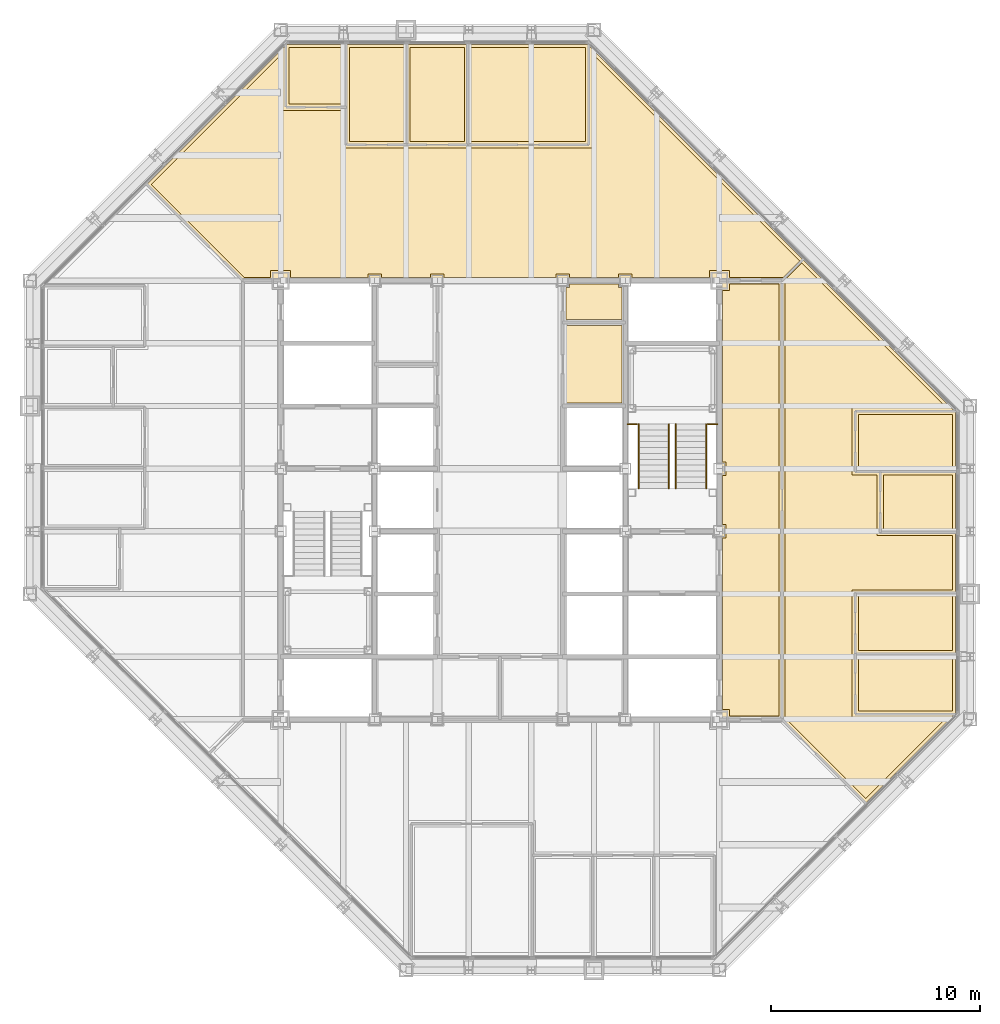
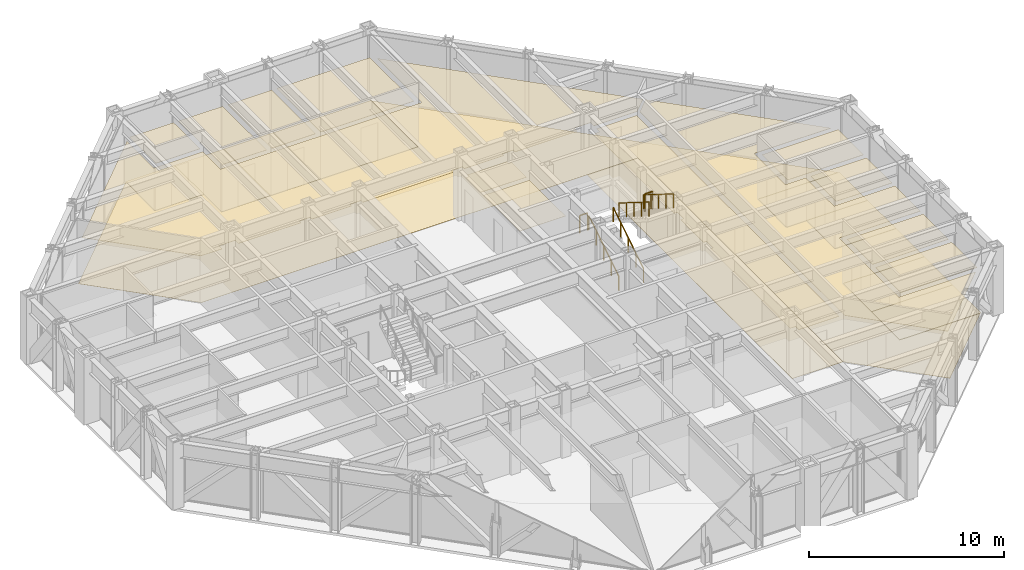
# One storey, part 16 of 16: 23 coverings, 6 railings.
"""IFC4 building model written with IfcOpenShell, lengths in metres."""

from ifc_helpers import new_model, si_unit, direction, frame, origin, origin_2d, place, context, subcontext, project, spatial, polyline, circle, outline, extrude, material, layer, layer_set, type_object, element, save


model = new_model("IFC4")

# Units and contexts
model_context = context("Model", 3, precision=1e-05, world=origin(), true_north=direction((0.0, 1.0)))
body_context = subcontext(model_context, "Body", "Model", "MODEL_VIEW")
ifc_project = project(units=[si_unit("LENGTHUNIT", "METRE"), si_unit("AREAUNIT", "SQUARE_METRE"), si_unit("VOLUMEUNIT", "CUBIC_METRE"), si_unit("PLANEANGLEUNIT", "RADIAN"), si_unit("MASSUNIT", "GRAM", prefix="KILO")], contexts=[model_context])

# Site, building, storey
site_placement = place(None, origin())
site = spatial("IfcSite", under=ifc_project, at=site_placement, CompositionType="ELEMENT")
building_placement = place(site_placement, origin())
building = spatial("IfcBuilding", under=site, at=building_placement, Name="Chuquiago Exchange Tower", CompositionType="ELEMENT")
storey_placement = place(building_placement, frame((0.0, 0.0, 222.300048828125)))
storey = spatial("IfcBuildingStorey", under=building, at=storey_placement, Name="L49", CompositionType="ELEMENT", Elevation=222.300048828125)

# Coverings
ifc_material_1 = material(Name="Mineral fibre tile, 600 x 600, on pale metal grid", Category="mineral fibre")
ifc_layer_1 = layer(ifc_material_1, 0.02001953125)
ifc_layer_set_1 = layer_set([ifc_layer_1], Name="CL1 suspended tile ceiling 20")
covering_type_1 = type_object("IfcCoveringType", Name="CL1 suspended tile ceiling 20", PredefinedType="CEILING", material=ifc_layer_set_1)
covering_1_placement = place(storey_placement, frame((0.0, 0.0, 2.800048828125)))
element("IfcCovering", 1, at=covering_1_placement, inside=storey, type_object=covering_type_1, Name="Ceiling Compliance office", PredefinedType="CEILING", context=body_context, shape_type="SweptSolid", body=[
    extrude(outline(polyline([(39.64990234375, 12.3984375), (39.64990234375, 14.9990234375), (44.14990234375, 14.9990234375), (44.14990234375, 12.3984375), (39.64990234375, 12.3984375)])), origin(), (0.0, 0.0, 1.0), 0.02001953125),
])
covering_2_placement = place(storey_placement, frame((0.0, 0.0, 2.800048828125)))
element("IfcCovering", 2, at=covering_2_placement, inside=storey, type_object=covering_type_1, Name="Ceiling Compliance office", PredefinedType="CEILING", context=body_context, shape_type="SweptSolid", body=[
    extrude(outline(polyline([(39.64990234375, 15.299072265625), (39.64990234375, 17.899658203125), (44.14990234375, 17.899658203125), (44.14990234375, 15.299072265625), (39.64990234375, 15.299072265625)])), origin(), (0.0, 0.0, 1.0), 0.02001953125),
])
covering_3_placement = place(storey_placement, frame((0.0, 0.0, 2.800048828125)))
element("IfcCovering", 3, at=covering_3_placement, inside=storey, type_object=covering_type_1, Name="Ceiling Pantry", PredefinedType="CEILING", context=body_context, shape_type="SweptSolid", body=[
    extrude(outline(polyline([(40.85009765625, 21.100341796875), (40.85009765625, 23.700927734375), (44.14990234375, 23.700927734375), (44.14990234375, 21.100341796875), (40.85009765625, 21.100341796875)])), origin(), (0.0, 0.0, 1.0), 0.02001953125),
])
covering_4_placement = place(storey_placement, frame((0.0, 0.0, 2.800048828125)))
element("IfcCovering", 4, at=covering_4_placement, inside=storey, type_object=covering_type_1, Name="Ceiling Meeting room", PredefinedType="CEILING", context=body_context, shape_type="SweptSolid", body=[
    extrude(outline(polyline([(44.14990234375, 24.0009765625), (39.64990234375, 24.0009765625), (39.64990234375, 26.6015625), (44.14990234375, 26.6015625), (44.14990234375, 24.0009765625)])), origin(), (0.0, 0.0, 1.0), 0.02001953125),
])
covering_5_placement = place(storey_placement, frame((0.0, 0.0, 2.800048828125)))
element("IfcCovering", 5, at=covering_5_placement, inside=storey, type_object=covering_type_1, Name="Ceiling Focus room", PredefinedType="CEILING", context=body_context, shape_type="SweptSolid", body=[
    extrude(outline(polyline([(14.9990234375, 44.14990234375), (14.9990234375, 41.449951171875), (12.3984375, 41.449951171875), (12.3984375, 44.14990234375), (14.9990234375, 44.14990234375)])), origin(), (0.0, 0.0, 1.0), 0.02001953125),
])
covering_6_placement = place(storey_placement, frame((0.0, 0.0, 2.800048828125)))
element("IfcCovering", 6, at=covering_6_placement, inside=storey, type_object=covering_type_1, Name="Ceiling Compliance office", PredefinedType="CEILING", context=body_context, shape_type="SweptSolid", body=[
    extrude(outline(polyline([(17.899658203125, 39.64990234375), (15.299072265625, 39.64990234375), (15.299072265625, 44.14990234375), (17.899658203125, 44.14990234375), (17.899658203125, 39.64990234375)])), origin(), (0.0, 0.0, 1.0), 0.02001953125),
])
covering_7_placement = place(storey_placement, frame((0.0, 0.0, 2.800048828125)))
element("IfcCovering", 7, at=covering_7_placement, inside=storey, type_object=covering_type_1, Name="Ceiling Compliance office", PredefinedType="CEILING", context=body_context, shape_type="SweptSolid", body=[
    extrude(outline(polyline([(20.80029296875, 39.64990234375), (18.19970703125, 39.64990234375), (18.19970703125, 44.14990234375), (20.80029296875, 44.14990234375), (20.80029296875, 39.64990234375)])), origin(), (0.0, 0.0, 1.0), 0.02001953125),
])
covering_8_placement = place(storey_placement, frame((0.0, 0.0, 2.800048828125)))
element("IfcCovering", 8, at=covering_8_placement, inside=storey, type_object=covering_type_1, Name="Ceiling Meeting room", PredefinedType="CEILING", context=body_context, shape_type="SweptSolid", body=[
    extrude(outline(polyline([(26.6015625, 39.64990234375), (21.100341796875, 39.64990234375), (21.100341796875, 44.14990234375), (26.6015625, 44.14990234375), (26.6015625, 39.64990234375)])), origin(), (0.0, 0.0, 1.0), 0.02001953125),
])
covering_9_placement = place(storey_placement, frame((0.0, 0.0, 2.800048828125)))
element("IfcCovering", 9, at=covering_9_placement, inside=storey, type_object=covering_type_1, Name="Ceiling Circulation corridor", PredefinedType="CEILING", context=body_context, shape_type="SweptSolid", body=[
    extrude(outline(polyline([(35.85009765625, 32.85009765625), (35.85009765625, 12.14990234375), (33.47509765625, 12.14990234375), (33.47509765625, 12.47509765625), (33.14990234375, 12.47509765625), (33.14990234375, 20.675048828125), (33.324951171875, 20.675048828125), (33.324951171875, 21.324951171875), (33.14990234375, 21.324951171875), (33.14990234375, 23.675048828125), (33.324951171875, 23.675048828125), (33.324951171875, 24.324951171875), (33.14990234375, 24.324951171875), (33.14990234375, 32.52490234375), (33.47509765625, 32.52490234375), (33.47509765625, 32.85009765625), (35.85009765625, 32.85009765625)])), origin(), (0.0, 0.0, 1.0), 0.02001953125),
])
covering_10_placement = place(storey_placement, frame((0.0, 0.0, 2.800048828125)))
element("IfcCovering", 10, at=covering_10_placement, inside=storey, type_object=covering_type_1, Name="Ceiling Open office north", PredefinedType="CEILING", context=body_context, shape_type="SweptSolid", body=[
    extrude(outline(polyline([(14.9990234375, 41.14990234375), (14.9990234375, 39.35009765625), (26.901611328125, 39.35009765625), (26.901611328125, 43.896484375), (36.849609375, 33.948486328125), (36.051025390625, 33.14990234375), (33.47509765625, 33.14990234375), (33.47509765625, 33.47509765625), (32.52490234375, 33.47509765625), (32.52490234375, 33.14990234375), (28.824951171875, 33.14990234375), (28.824951171875, 33.324951171875), (28.175048828125, 33.324951171875), (28.175048828125, 33.14990234375), (25.824951171875, 33.14990234375), (25.824951171875, 33.324951171875), (25.175048828125, 33.324951171875), (25.175048828125, 33.14990234375), (19.824951171875, 33.14990234375), (19.824951171875, 33.324951171875), (19.175048828125, 33.324951171875), (19.175048828125, 33.14990234375), (16.824951171875, 33.14990234375), (16.824951171875, 33.324951171875), (16.175048828125, 33.324951171875), (16.175048828125, 33.14990234375), (12.47509765625, 33.14990234375), (12.47509765625, 33.47509765625), (11.52490234375, 33.47509765625), (11.52490234375, 33.14990234375), (10.2626953125, 33.14990234375), (5.807373046875, 37.60546875), (12.098388671875, 43.896484375), (12.098388671875, 41.14990234375), (14.9990234375, 41.14990234375)])), origin(), (0.0, 0.0, 1.0), 0.02001953125),
])
covering_11_placement = place(storey_placement, frame((0.0, 0.0, 2.800048828125)))
element("IfcCovering", 11, at=covering_11_placement, inside=storey, type_object=covering_type_1, Name="Ceiling Open office north", PredefinedType="CEILING", context=body_context, shape_type="SweptSolid", body=[
    extrude(outline(polyline([(43.896484375, 26.901611328125), (39.35009765625, 26.901611328125), (39.35009765625, 23.700927734375), (40.550048828125, 23.700927734375), (40.550048828125, 20.80029296875), (44.14990234375, 20.80029296875), (44.14990234375, 18.19970703125), (39.35009765625, 18.19970703125), (39.35009765625, 12.098388671875), (43.896484375, 12.098388671875), (40.00537109375, 8.20751953125), (36.14990234375, 12.0625), (36.14990234375, 33.051025390625), (36.948486328125, 33.849609375), (43.896484375, 26.901611328125)])), origin(), (0.0, 0.0, 1.0), 0.02001953125),
])
ifc_material_2 = material(Name="Moisture resistant plasterboard on metal frame", Category="gypsum")
ifc_layer_2 = layer(ifc_material_2, 0.014892578125)
ifc_layer_set_2 = layer_set([ifc_layer_2], Name="CL2 moisture resistant ceiling 15")
covering_type_2 = type_object("IfcCoveringType", Name="CL2 moisture resistant ceiling 15", PredefinedType="CEILING", material=ifc_layer_set_2)
covering_12_placement = place(storey_placement, frame((0.0, 0.0, 2.599853515625)))
element("IfcCovering", 12, at=covering_12_placement, inside=storey, type_object=covering_type_2, Name="Ceiling Female WC", PredefinedType="CEILING", context=body_context, shape_type="SweptSolid", body=[
    extrude(outline(polyline([(25.64990234375, 27.14990234375), (25.64990234375, 30.85009765625), (28.35009765625, 30.85009765625), (28.35009765625, 27.14990234375), (25.64990234375, 27.14990234375)])), origin(), (0.0, 0.0, 1.0), 0.01513671875),
])
covering_13_placement = place(storey_placement, frame((0.0, 0.0, 2.599853515625)))
element("IfcCovering", 13, at=covering_13_placement, inside=storey, type_object=covering_type_2, Name="Ceiling Staff shower room", PredefinedType="CEILING", context=body_context, shape_type="SweptSolid", body=[
    extrude(outline(polyline([(25.64990234375, 31.14990234375), (25.64990234375, 32.675048828125), (25.824951171875, 32.675048828125), (25.824951171875, 32.85009765625), (28.175048828125, 32.85009765625), (28.175048828125, 32.675048828125), (28.35009765625, 32.675048828125), (28.35009765625, 31.14990234375), (25.64990234375, 31.14990234375)])), origin(), (0.0, 0.0, 1.0), 0.01513671875),
])
ifc_material_3 = material(Name="Carpet tile, 500 x 500, on the floor slab", Category="textile")
ifc_layer_3 = layer(ifc_material_3, 0.010009765625)
ifc_layer_set_3 = layer_set([ifc_layer_3], Name="FL1 carpet tile 10")
covering_type_3 = type_object("IfcCoveringType", Name="FL1 carpet tile 10", PredefinedType="FLOORING", material=ifc_layer_set_3)
covering_14_placement = place(storey_placement, origin())
element("IfcCovering", 14, at=covering_14_placement, inside=storey, type_object=covering_type_3, Name="Floor finish Compliance office", PredefinedType="FLOORING", context=body_context, shape_type="SweptSolid", body=[
    extrude(outline(polyline([(44.300048828125, 12.289794921875), (44.258544921875, 12.24853515625), (39.5, 12.24853515625), (39.5, 15.149169921875), (44.300048828125, 15.149169921875), (44.300048828125, 12.289794921875)])), origin(), (0.0, 0.0, 1.0), 0.010009765625),
])
covering_15_placement = place(storey_placement, origin())
element("IfcCovering", 15, at=covering_15_placement, inside=storey, type_object=covering_type_3, Name="Floor finish Compliance office", PredefinedType="FLOORING", context=body_context, shape_type="SweptSolid", body=[
    extrude(outline(polyline([(44.300048828125, 15.149169921875), (39.5, 15.149169921875), (39.5, 18.0498046875), (44.300048828125, 18.0498046875), (44.300048828125, 15.149169921875)])), origin(), (0.0, 0.0, 1.0), 0.010009765625),
])
covering_16_placement = place(storey_placement, origin())
element("IfcCovering", 16, at=covering_16_placement, inside=storey, type_object=covering_type_3, Name="Floor finish Meeting room", PredefinedType="FLOORING", context=body_context, shape_type="SweptSolid", body=[
    extrude(outline(polyline([(44.300048828125, 26.710205078125), (44.300048828125, 23.850830078125), (39.5, 23.850830078125), (39.5, 26.75146484375), (44.258544921875, 26.75146484375), (44.300048828125, 26.710205078125)])), origin(), (0.0, 0.0, 1.0), 0.010009765625),
])
covering_17_placement = place(storey_placement, origin())
element("IfcCovering", 17, at=covering_17_placement, inside=storey, type_object=covering_type_3, Name="Floor finish Focus room", PredefinedType="FLOORING", context=body_context, shape_type="SweptSolid", body=[
    extrude(outline(polyline([(12.289794921875, 44.300048828125), (15.149169921875, 44.300048828125), (15.149169921875, 41.300048828125), (12.24853515625, 41.300048828125), (12.24853515625, 44.258544921875), (12.289794921875, 44.300048828125)])), origin(), (0.0, 0.0, 1.0), 0.010009765625),
])
covering_18_placement = place(storey_placement, origin())
element("IfcCovering", 18, at=covering_18_placement, inside=storey, type_object=covering_type_3, Name="Floor finish Compliance office", PredefinedType="FLOORING", context=body_context, shape_type="SweptSolid", body=[
    extrude(outline(polyline([(18.0498046875, 44.300048828125), (18.0498046875, 39.5), (15.149169921875, 39.5), (15.149169921875, 44.300048828125), (18.0498046875, 44.300048828125)])), origin(), (0.0, 0.0, 1.0), 0.010009765625),
])
covering_19_placement = place(storey_placement, origin())
element("IfcCovering", 19, at=covering_19_placement, inside=storey, type_object=covering_type_3, Name="Floor finish Compliance office", PredefinedType="FLOORING", context=body_context, shape_type="SweptSolid", body=[
    extrude(outline(polyline([(20.9501953125, 44.300048828125), (20.9501953125, 39.5), (18.0498046875, 39.5), (18.0498046875, 44.300048828125), (20.9501953125, 44.300048828125)])), origin(), (0.0, 0.0, 1.0), 0.010009765625),
])
covering_20_placement = place(storey_placement, origin())
element("IfcCovering", 20, at=covering_20_placement, inside=storey, type_object=covering_type_3, Name="Floor finish Meeting room", PredefinedType="FLOORING", context=body_context, shape_type="SweptSolid", body=[
    extrude(outline(polyline([(26.710205078125, 44.300048828125), (26.75146484375, 44.258544921875), (26.75146484375, 39.5), (20.9501953125, 39.5), (20.9501953125, 44.300048828125), (26.710205078125, 44.300048828125)])), origin(), (0.0, 0.0, 1.0), 0.010009765625),
])
covering_21_placement = place(storey_placement, origin())
element("IfcCovering", 21, at=covering_21_placement, inside=storey, type_object=covering_type_3, Name="Floor finish Open office north", PredefinedType="FLOORING", context=body_context, shape_type="SweptSolid", body=[
    extrude(outline(polyline([(12.24853515625, 41.300048828125), (15.149169921875, 41.300048828125), (15.149169921875, 39.5), (26.75146484375, 39.5), (26.75146484375, 44.258544921875), (44.258544921875, 26.75146484375), (39.5, 26.75146484375), (39.5, 23.850830078125), (40.699951171875, 23.850830078125), (40.699951171875, 20.9501953125), (44.300048828125, 20.9501953125), (44.300048828125, 18.0498046875), (39.5, 18.0498046875), (39.5, 12.24853515625), (44.258544921875, 12.24853515625), (44.300048828125, 12.289794921875), (40.00537109375, 7.995361328125), (36.0, 12.00048828125), (36.0, 33.0), (10.200439453125, 33.0), (5.59521484375, 37.60546875), (12.289794921875, 44.300048828125), (12.24853515625, 44.258544921875), (12.24853515625, 41.300048828125)])), origin(), (0.0, 0.0, 1.0), 0.010009765625),
])
ifc_material_4 = material(Name="Porcelain floor tile, 600 x 600, on adhesive bed", Category="ceramic")
ifc_layer_4 = layer(ifc_material_4, 0.014892578125)
ifc_layer_set_4 = layer_set([ifc_layer_4], Name="FL2 porcelain tile 15")
covering_type_4 = type_object("IfcCoveringType", Name="FL2 porcelain tile 15", PredefinedType="FLOORING", material=ifc_layer_set_4)
covering_22_placement = place(storey_placement, origin())
element("IfcCovering", 22, at=covering_22_placement, inside=storey, type_object=covering_type_4, Name="Floor finish Pantry", PredefinedType="FLOORING", context=body_context, shape_type="SweptSolid", body=[
    extrude(outline(polyline([(44.300048828125, 20.9501953125), (40.699951171875, 20.9501953125), (40.699951171875, 23.850830078125), (44.300048828125, 23.850830078125), (44.300048828125, 20.9501953125)])), origin(), (0.0, 0.0, 1.0), 0.014892578125),
])
covering_23_placement = place(storey_placement, origin())
element("IfcCovering", 23, at=covering_23_placement, inside=storey, type_object=covering_type_4, Name="Floor finish Circulation corridor", PredefinedType="FLOORING", context=body_context, shape_type="SweptSolid", body=[
    extrude(outline(polyline([(33.0, 33.0), (36.0, 33.0), (36.0, 12.0), (33.0, 12.0), (33.0, 33.0)])), origin(), (0.0, 0.0, 1.0), 0.014892578125),
])

# Railings
ifc_material_5 = material(Name="Pale metal guard with safety glass infill", Category="glass")
railing_type_1 = type_object("IfcRailingType", Name="GR1 guard 1100", PredefinedType="GUARDRAIL", material=ifc_material_5)
for number, where, name in (
    (24, (28.60009765625, 26.1298828125, 2.099853515625), "Guard ST2 L49 landing 2"),
    (25, (32.445068359375, 26.1298828125, 2.099853515625), "Guard ST2 L49 landing 2"),
):
    element("IfcRailing", number, at=place(storey_placement, frame(where)), inside=storey, type_object=railing_type_1, Name=name, PredefinedType="GUARDRAIL", context=body_context, shape_type="SweptSolid", body=[
        extrude(circle(Radius=0.02392578125, at=origin_2d()), frame((0.0, 0.0, 1.076171875), z_axis=(1.0, 0.0, 0.0), x_axis=(0.0, 1.0, 0.0)), (0.0, 0.0, 1.0), 0.454833984375),
        extrude(circle(Radius=0.02099609375, at=origin_2d()), origin(), (0.0, 0.0, 1.0), 1.052001953125),
        extrude(circle(Radius=0.02099609375, at=origin_2d()), frame((0.454833984375, 0.0, 0.0)), (0.0, 0.0, 1.0), 1.052001953125),
    ])
ifc_material_6 = material(Name="Pale metal handrail", Category="steel")
railing_type_2 = type_object("IfcRailingType", Name="HR1 handrail 900", PredefinedType="HANDRAIL", material=ifc_material_6)
for number, where, name in (
    (26, (30.5849609375, 23.050048828125, 0.175048828125), "Handrail ST2 L49 flight 1"),
    (27, (29.135009765625, 23.050048828125, 0.175048828125), "Handrail ST2 L49 flight 1"),
):
    element("IfcRailing", number, at=place(storey_placement, frame(where)), inside=storey, type_object=railing_type_2, Name=name, PredefinedType="HANDRAIL", context=body_context, shape_type="SweptSolid", body=[
        extrude(circle(Radius=0.02392578125, at=origin_2d()), frame((0.0, 0.0, 0.8759765625), z_axis=(0.0, 0.848009633417, 0.529980812513), x_axis=(-1.0, 0.0, 0.0)), (0.0, 0.0, 1.0), 3.6318359375),
        extrude(circle(Radius=0.02099609375, at=origin_2d()), origin(), (0.0, 0.0, 1.0), 0.851806640625),
        extrude(circle(Radius=0.02099609375, at=origin_2d()), frame((0.0, 0.77001953125, 0.481201171875)), (0.0, 0.0, 1.0), 0.851806640625),
        extrude(circle(Radius=0.02099609375, at=origin_2d()), frame((0.0, 1.5400390625, 0.96240234375)), (0.0, 0.0, 1.0), 0.851806640625),
        extrude(circle(Radius=0.02099609375, at=origin_2d()), frame((0.0, 2.309814453125, 1.443603515625)), (0.0, 0.0, 1.0), 0.851806640625),
        extrude(circle(Radius=0.02099609375, at=origin_2d()), frame((0.0, 3.079833984375, 1.9248046875)), (0.0, 0.0, 1.0), 0.851806640625),
    ])
for number, where, name in (
    (28, (30.9150390625, 26.1298828125, 2.27490234375), "Handrail ST2 L49 flight 2"),
    (29, (32.364990234375, 26.1298828125, 2.27490234375), "Handrail ST2 L49 flight 2"),
):
    element("IfcRailing", number, at=place(storey_placement, frame(where)), inside=storey, type_object=railing_type_2, Name=name, PredefinedType="HANDRAIL", context=body_context, shape_type="SweptSolid", body=[
        extrude(circle(Radius=0.02392578125, at=origin_2d()), frame((0.0, 0.0, 0.8759765625), z_axis=(0.0, -0.847979421464, 0.530029150871), x_axis=(1.0, 0.0, 0.0)), (0.0, 0.0, 1.0), 3.632080078125),
        extrude(circle(Radius=0.02099609375, at=origin_2d()), origin(), (0.0, 0.0, 1.0), 0.851806640625),
        extrude(circle(Radius=0.02099609375, at=origin_2d()), frame((0.0, -0.77001953125, 0.481201171875)), (0.0, 0.0, 1.0), 0.851806640625),
        extrude(circle(Radius=0.02099609375, at=origin_2d()), frame((0.0, -1.5400390625, 0.96240234375)), (0.0, 0.0, 1.0), 0.851806640625),
        extrude(circle(Radius=0.02099609375, at=origin_2d()), frame((0.0, -2.309814453125, 1.44384765625)), (0.0, 0.0, 1.0), 0.851806640625),
        extrude(circle(Radius=0.02099609375, at=origin_2d()), frame((0.0, -3.079833984375, 1.925048828125)), (0.0, 0.0, 1.0), 0.851806640625),
    ])

save(model, "model.ifc")
